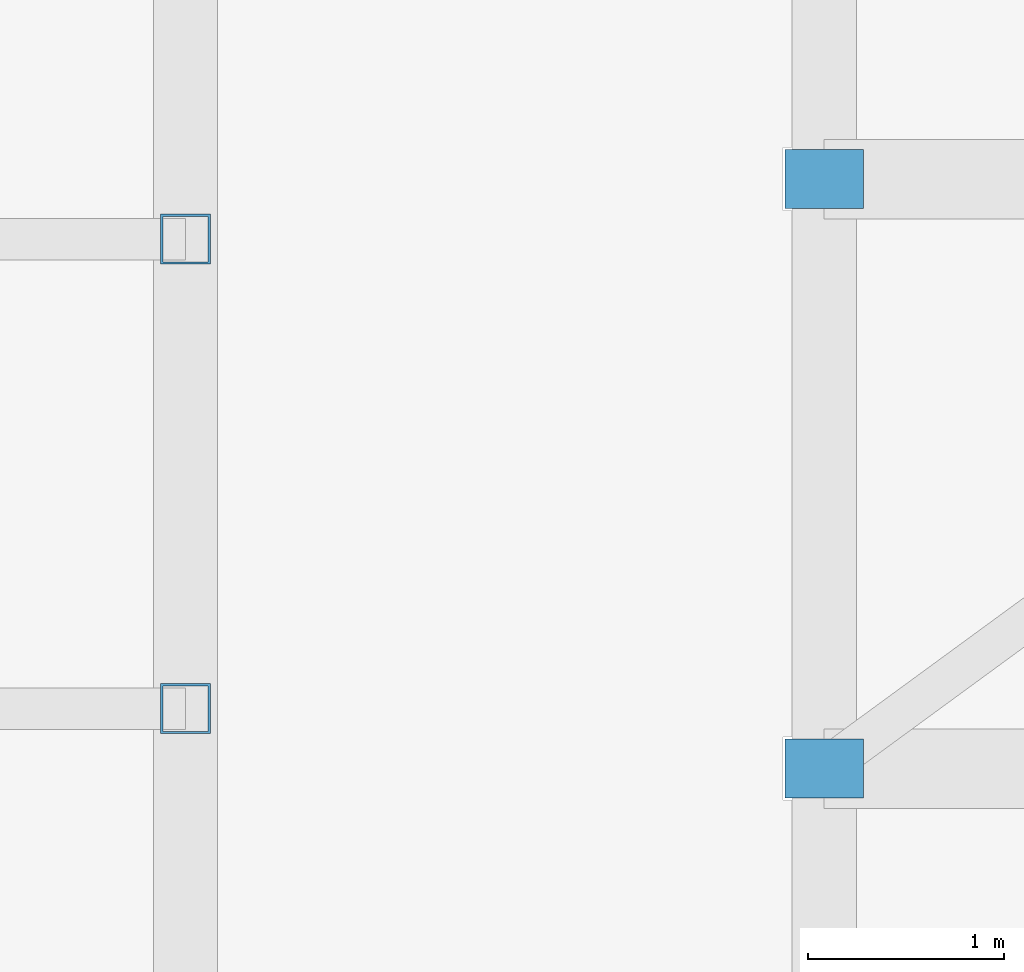
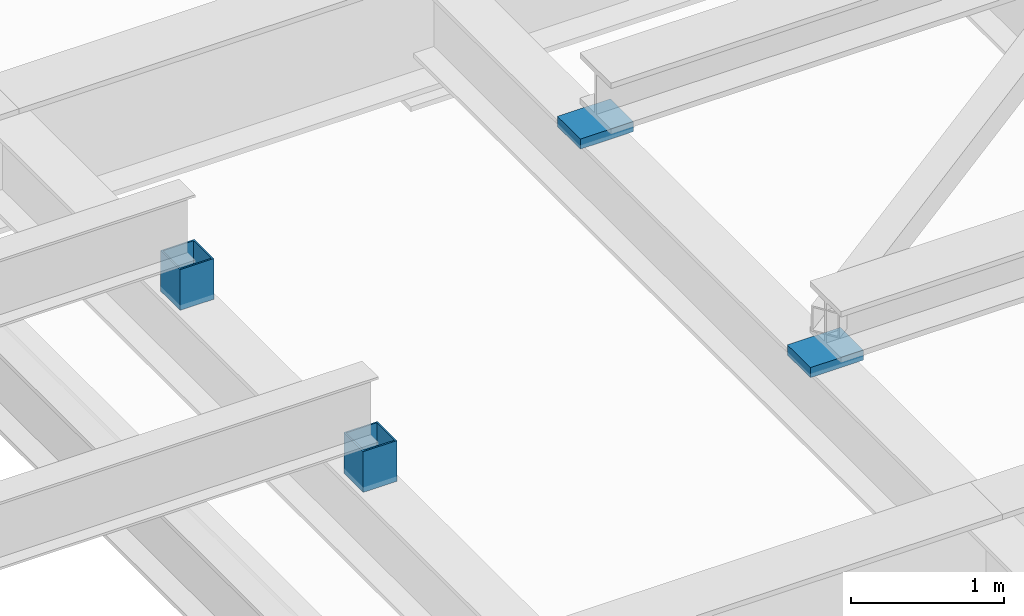
# One storey, part 12 of 27: 4 members.
"""IFC4 building model written with IfcOpenShell, lengths in metres."""

from ifc_helpers import new_model, si_unit, direction, frame, origin, origin_2d, place, context, subcontext, project, spatial, rectangle, hollow_rectangle, extrude, material, material_profile, profile_set, type_object, element, save


model = new_model("IFC4")

# Units and contexts
model_context = context("Model", 3, precision=1e-05, world=origin(), true_north=direction((0.0, 1.0)))
body_context = subcontext(model_context, "Body", "Model", "MODEL_VIEW")
ifc_project = project(units=[si_unit("LENGTHUNIT", "METRE"), si_unit("AREAUNIT", "SQUARE_METRE"), si_unit("VOLUMEUNIT", "CUBIC_METRE"), si_unit("PLANEANGLEUNIT", "RADIAN"), si_unit("MASSUNIT", "GRAM", prefix="KILO")], contexts=[model_context])

# Site, building, storey
site_placement = place(None, origin())
site = spatial("IfcSite", under=ifc_project, at=site_placement, CompositionType="ELEMENT")
building_placement = place(site_placement, origin())
building = spatial("IfcBuilding", under=site, at=building_placement, Name="Iwan Alto Co-Living Towers", CompositionType="ELEMENT")
storey_placement = place(building_placement, frame((0.0, 0.0, 94.5)))
storey = spatial("IfcBuildingStorey", under=building, at=storey_placement, Name="L25", CompositionType="ELEMENT", Elevation=94.5)

# Members
ifc_material_1 = material(Name="Steel ASTM A36", Category="steel")
ifc_material_profile_1 = material_profile(ifc_material_1, rectangle(XDim=0.39990234375, YDim=0.300048828125, at=origin_2d()), Name="BEARING 400X300")
ifc_profile_set_1 = profile_set([ifc_material_profile_1], Name="Steel ASTM A36")
member_type_1 = type_object("IfcMemberType", Name="BRIDGE BEARING", PredefinedType="USERDEFINED", material=ifc_profile_set_1)
for number, where, z_axis, x_axis, name in (
    (1, (31.89990234375, -1.5, 2.517578125), (0.0, 0.0, -1.0), (1.0, 0.0, 0.0), "BR1 sliding bearing T1 S"),
    (2, (31.89990234375, 1.5, 2.517578125), (0.0, 0.0, -1.0), (1.0, 0.0, 0.0), "BR1 sliding bearing T1 N"),
):
    element("IfcMember", number, at=place(storey_placement, frame(where, z_axis=z_axis, x_axis=x_axis)), inside=storey, type_object=member_type_1, Name=name, ObjectType="BEARING", PredefinedType="USERDEFINED", context=body_context, shape_type="SweptSolid", body=[
        extrude(rectangle(XDim=0.39990234375, YDim=0.300048828125, at=origin_2d()), origin(), (0.0, 0.0, 1.0), 0.079833984375),
    ])
ifc_material_2 = material(Name="Steel ASTM A500 Gr C", Category="steel")
ifc_material_profile_2 = material_profile(ifc_material_2, hollow_rectangle(XDim=0.25390625, YDim=0.25390625, WallThickness=0.01171875, at=origin_2d()), Name="HSS10X10X1/2")
ifc_profile_set_2 = profile_set([ifc_material_profile_2], Name="Steel ASTM A500 Gr C")
member_type_2 = type_object("IfcMemberType", Name="BRIDGE POD HANGER HSS10X10X1/2", PredefinedType="POST", material=ifc_profile_set_2)
for number, where, z_axis, x_axis, name in (
    (3, (28.64990234375, -1.194580078125, 2.76171875), (0.0, 0.0, -1.0), (1.0, 0.0, 0.0), "BR1 landing post S"),
    (4, (28.64990234375, 1.194580078125, 2.76171875), (0.0, 0.0, -1.0), (1.0, 0.0, 0.0), "BR1 landing post N"),
):
    element("IfcMember", number, at=place(storey_placement, frame(where, z_axis=z_axis, x_axis=x_axis)), inside=storey, type_object=member_type_2, Name=name, PredefinedType="POST", context=body_context, shape_type="SweptSolid", body=[
        extrude(hollow_rectangle(XDim=0.25390625, YDim=0.25390625, WallThickness=0.01171875, at=origin_2d()), origin(), (0.0, 0.0, 1.0), 0.323974609375),
    ])

save(model, "model.ifc")
